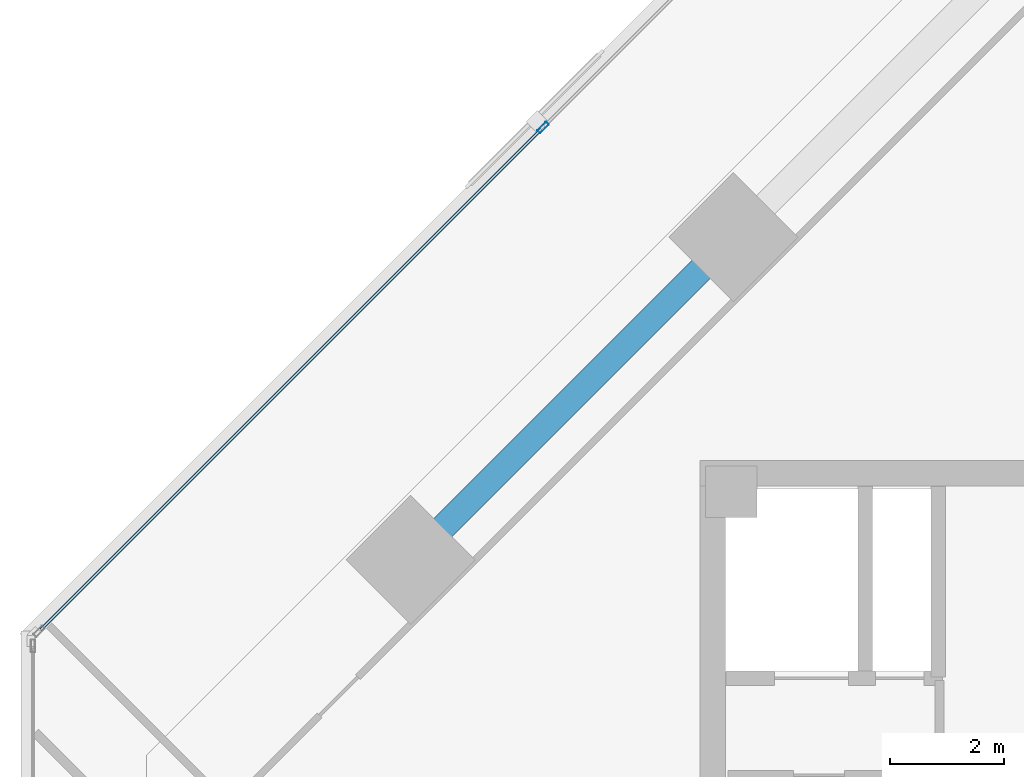
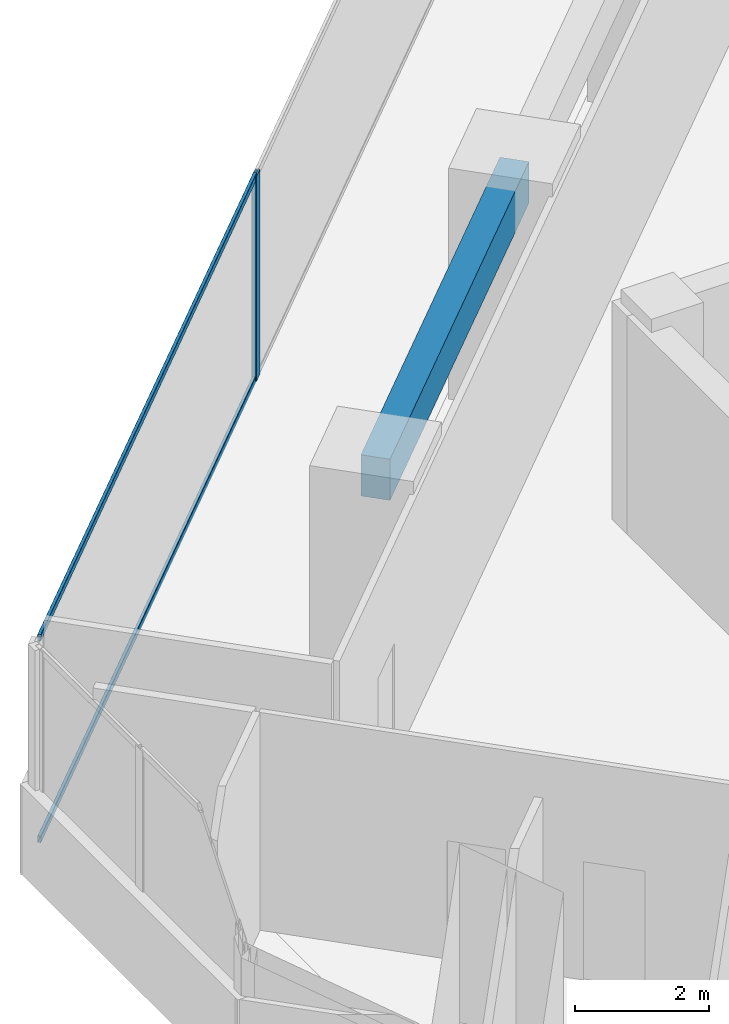
# One storey, part 8 of 17: 3 members, 1 beam, 1 element without a shape of its own.
"""IFC4 building model written with IfcOpenShell, lengths in metres."""

from ifc_helpers import new_model, si_unit, direction, frame, origin, origin_2d, place, context, subcontext, project, spatial, rectangle, hollow_rectangle, extrude, source, transform, mapped, material, material_profile, profile_set, type_object, element, aggregate, save


model = new_model("IFC4")

# Units and contexts
model_context = context("Model", 3, precision=1e-05, world=origin(), true_north=direction((0.0, 1.0)))
body_context = subcontext(model_context, "Body", "Model", "MODEL_VIEW")
ifc_project = project(units=[si_unit("LENGTHUNIT", "METRE"), si_unit("AREAUNIT", "SQUARE_METRE"), si_unit("VOLUMEUNIT", "CUBIC_METRE"), si_unit("PLANEANGLEUNIT", "RADIAN"), si_unit("MASSUNIT", "GRAM", prefix="KILO")], contexts=[model_context])

# Site, building, storey
site_placement = place(None, origin())
site = spatial("IfcSite", under=ifc_project, at=site_placement, CompositionType="ELEMENT")
building_placement = place(site_placement, origin())
building = spatial("IfcBuilding", under=site, at=building_placement, Name="Torre Montelarca", CompositionType="ELEMENT")
storey_placement = place(building_placement, frame((0.0, 0.0, 250.0)))
storey = spatial("IfcBuildingStorey", under=building, at=storey_placement, Name="L56", CompositionType="ELEMENT", Elevation=250.0)

# Beam
ifc_material_1 = material(Name="Concrete C55/67", Category="concrete")
ifc_material_profile_1 = material_profile(ifc_material_1, rectangle(XDim=0.449951171875, YDim=0.75, at=origin_2d()), Name="RCB450X750", Category="concrete")
ifc_profile_set_1 = profile_set([ifc_material_profile_1], Name="Concrete C55/67")
beam_type = type_object("IfcBeamType", Name="BM-SP-RC750-EXT", PredefinedType="SPANDREL", material=ifc_profile_set_1)
shared_shape_1 = source(origin(), body_context, "Body", "SweptSolid", [
    extrude(rectangle(XDim=0.449951171875, YDim=0.75, at=origin_2d()), origin(), (0.0, 0.0, 1.0), 8.0),
])
beam_placement = place(storey_placement, frame((3.928466796875, 38.2578125, 3.5849609375), z_axis=(0.707091522249, 0.707122039795, 0.0), x_axis=(-0.707122039795, 0.707091522249, 0.0)))
element("IfcBeam", 1, at=beam_placement, inside=storey, type_object=beam_type, Name="L56 Grid Girder Y 24.0-32.0 at X=4.7", PredefinedType="SPANDREL", context=body_context, shape_type="MappedRepresentation", body=[
    mapped(shared_shape_1, transform((0.0, 0.0, 0.0), scale=1.0)),
])

# Curtain wall, members
ifc_material_2 = material(Name="Insulated low-E laminated glass", Category="glass")
curtain_wall_type = type_object("IfcCurtainWallType", Name="CW-SYS-Z3", PredefinedType="USERDEFINED", material=ifc_material_2)
curtain_wall_placement = place(storey_placement, origin())
curtain_wall = element("IfcCurtainWall", 2, at=curtain_wall_placement, inside=storey, type_object=curtain_wall_type, Name="L56 Curtain Wall Run CW-T3-L56-E10-B1", ObjectType="UNITISED GLAZING", PredefinedType="USERDEFINED")
ifc_material_3 = material(Name="Anodised aluminium AA 6063-T6", Category="aluminium")
ifc_material_profile_2 = material_profile(ifc_material_3, hollow_rectangle(XDim=0.054931640625, YDim=0.1201171875, WallThickness=0.00341796875, InnerFilletRadius=0.00341796875, OuterFilletRadius=0.007080078125, at=origin_2d()), Name="ALU55X120X3.5", Category="aluminium")
ifc_profile_set_2 = profile_set([ifc_material_profile_2], Name="Anodised aluminium AA 6063-T6")
member_type_1 = type_object("IfcMemberType", Name="CWT-ALU120", PredefinedType="USERDEFINED", material=ifc_profile_set_2)
shared_shape_2 = source(origin(), body_context, "Body", "SweptSolid", [
    extrude(hollow_rectangle(XDim=0.054931640625, YDim=0.1201171875, WallThickness=0.00341796875, InnerFilletRadius=0.00341796875, OuterFilletRadius=0.007080078125, at=origin_2d()), origin(), (0.0, 0.0, 1.0), 12.421630859375),
])
member_1_placement = place(storey_placement, frame((6.22119140625, 45.8115234375, 0.027587890625), z_axis=(-0.707106781187, -0.707106781187, 0.0), x_axis=(0.707106781187, -0.707106781187, 0.0)))
member_1 = element("IfcMember", 3, at=member_1_placement, type_object=member_type_1, Name="CW transom 2.1", ObjectType="TRANSOM", PredefinedType="USERDEFINED", context=body_context, shape_type="MappedRepresentation", body=[
    mapped(shared_shape_2, transform((0.0, 0.0, 0.0), scale=1.0)),
])
member_2_placement = place(storey_placement, frame((6.22119140625, 45.8115234375, 3.6923828125), z_axis=(-0.707106781187, -0.707106781187, 0.0), x_axis=(0.707106781187, -0.707106781187, 0.0)))
member_2 = element("IfcMember", 4, at=member_2_placement, type_object=member_type_1, Name="CW transom 2.2", ObjectType="TRANSOM", PredefinedType="USERDEFINED", context=body_context, shape_type="MappedRepresentation", body=[
    mapped(shared_shape_2, transform((0.0, 0.0, 0.0), scale=1.0)),
])
ifc_material_profile_3 = material_profile(ifc_material_3, hollow_rectangle(XDim=0.074951171875, YDim=0.219970703125, WallThickness=0.0048828125, InnerFilletRadius=0.0048828125, OuterFilletRadius=0.010009765625, at=origin_2d()), Name="ALU75X220X5", Category="aluminium")
ifc_profile_set_3 = profile_set([ifc_material_profile_3], Name="Anodised aluminium AA 6063-T6")
member_type_2 = type_object("IfcMemberType", Name="CWM-ALU220", PredefinedType="MULLION", material=ifc_profile_set_3)
shared_shape_3 = source(origin(), body_context, "Body", "SweptSolid", [
    extrude(hollow_rectangle(XDim=0.074951171875, YDim=0.219970703125, WallThickness=0.0048828125, InnerFilletRadius=0.0048828125, OuterFilletRadius=0.010009765625, at=origin_2d()), origin(), (0.0, 0.0, 1.0), 3.719970703125),
])
member_3_placement = place(storey_placement, frame((6.24755859375, 45.838134765625, 0.0), z_axis=(0.0, 0.0, 1.0), x_axis=(0.707108775742, -0.707104786625, 0.0)))
member_3 = element("IfcMember", 5, at=member_3_placement, type_object=member_type_2, Name="CW mullion 2", PredefinedType="MULLION", context=body_context, shape_type="MappedRepresentation", body=[
    mapped(shared_shape_3, transform((0.0, 0.0, 0.0), scale=1.0)),
])
aggregate(curtain_wall, [member_3, member_1, member_2])

save(model, "model.ifc")
